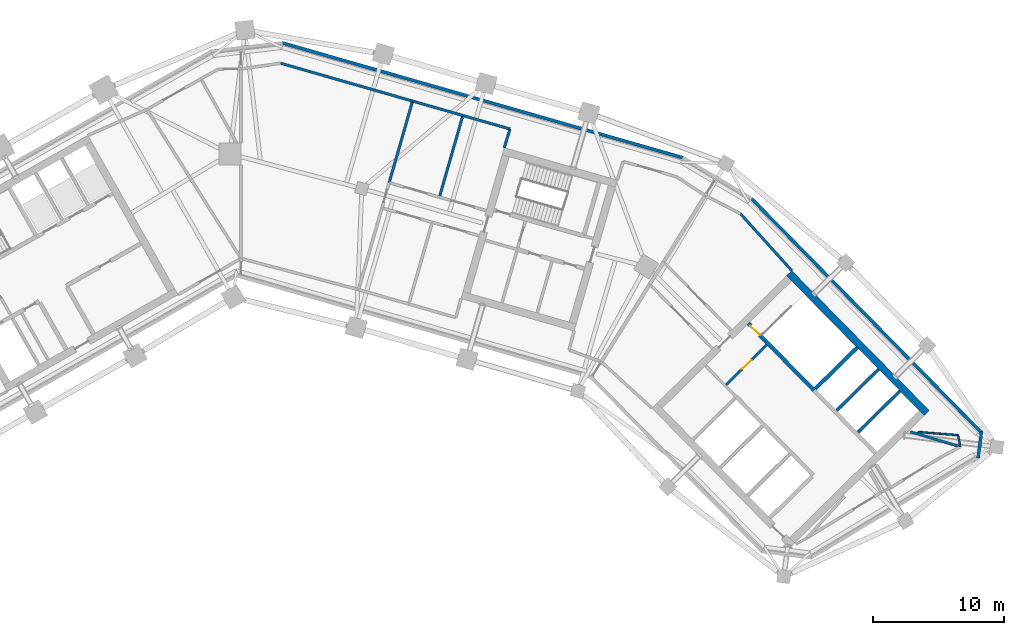
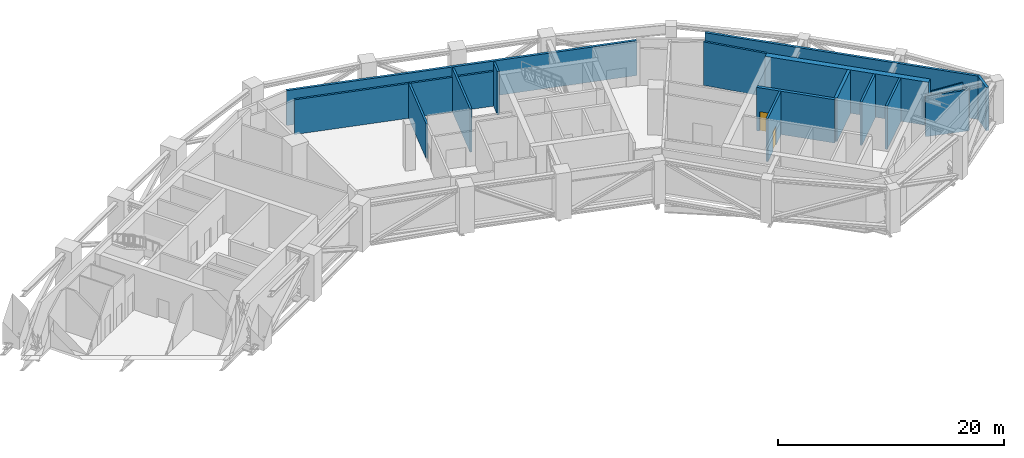
# One storey, part 13 of 16: 19 walls, 2 doors, 2 openings.
"""IFC4 building model written with IfcOpenShell, lengths in metres."""

from ifc_helpers import new_model, si_unit, direction, frame, frame_2d, origin, place, context, subcontext, project, spatial, rectangle, extrude, material, layer, layer_set, type_object, element, fill, save


model = new_model("IFC4")

# Units and contexts
model_context = context("Model", 3, precision=1e-05, world=origin(), true_north=direction((0.0, 1.0)))
body_context = subcontext(model_context, "Body", "Model", "MODEL_VIEW")
ifc_project = project(units=[si_unit("LENGTHUNIT", "METRE"), si_unit("AREAUNIT", "SQUARE_METRE"), si_unit("VOLUMEUNIT", "CUBIC_METRE"), si_unit("PLANEANGLEUNIT", "RADIAN"), si_unit("MASSUNIT", "GRAM", prefix="KILO")], contexts=[model_context])

# Site, building, storey
site_placement = place(None, origin())
site = spatial("IfcSite", under=ifc_project, at=site_placement, CompositionType="ELEMENT")
building_placement = place(site_placement, origin())
building = spatial("IfcBuilding", under=site, at=building_placement, Name="Binnacle Exchange Tower", CompositionType="ELEMENT")
storey_placement = place(building_placement, frame((0.0, 0.0, 149.89990234375)))
storey = spatial("IfcBuildingStorey", under=building, at=storey_placement, Name="L31", CompositionType="ELEMENT", Elevation=149.89990234375)

# Wall
ifc_material_1 = material(Name="Concrete C70/85", Category="concrete")
ifc_layer_1 = layer(ifc_material_1, 0.550048828125)
ifc_layer_set_1 = layer_set([ifc_layer_1], Name="Core wall - outer 550")
wall_type_1 = type_object("IfcWallType", Name="Core wall - outer 550", PredefinedType="SOLIDWALL", material=ifc_layer_set_1)
wall_1_placement = place(storey_placement, frame((41.934326171875, 50.873291015625, 0.0), z_axis=(0.0, 0.0, 1.0), x_axis=(0.700911255944, -0.713248491965, 0.0)))
element("IfcWall", 1, at=wall_1_placement, inside=storey, type_object=wall_type_1, Name="Core wall CRWB6", PredefinedType="SOLIDWALL", context=body_context, shape_type="SweptSolid", body=[
    extrude(rectangle(XDim=15.0, YDim=0.550048828125, at=frame_2d((7.5, 0.0))), origin(), (0.0, 0.0, 1.0), 4.68017578125),
])

# Wall, opening, door
ifc_layer_2 = layer(ifc_material_1, 0.300048828125)
ifc_layer_set_2 = layer_set([ifc_layer_2], Name="Core wall - stair 300")
wall_type_2 = type_object("IfcWallType", Name="Core wall - stair 300", PredefinedType="SOLIDWALL", material=ifc_layer_set_2)
wall_2_placement = place(storey_placement, frame((38.806884765625, 47.029052734375, 0.0), z_axis=(0.0, 0.0, 1.0), x_axis=(0.700916852778, -0.713242991898, 0.0)))
wall_2 = element("IfcWall", 2, at=wall_2_placement, inside=storey, type_object=wall_type_2, Name="Core wall CRWB4", PredefinedType="SOLIDWALL", context=body_context, shape_type="SweptSolid", body=[
    extrude(rectangle(XDim=7.150146484375, YDim=0.300048828125, at=frame_2d((3.5751953125, 0.0))), origin(), (0.0, 0.0, 1.0), 4.68017578125),
])
opening_1_placement = place(wall_2_placement, frame((0.25, 0.0, 0.0)))
opening_1 = element("IfcOpeningElement", 3, at=opening_1_placement, cuts=wall_2, Name="Opening DB1", PredefinedType="OPENING", context=body_context, shape_type="SweptSolid", body=[
    extrude(rectangle(XDim=1.0, YDim=2.10009765625, at=frame_2d((0.5, 1.050048828125))), frame((0.0, 0.159912109375, 0.0), z_axis=(0.0, -1.0, 0.0), x_axis=(1.0, 0.0, 0.0)), (0.0, 0.0, 1.0), 0.320068359375),
])
ifc_material_2 = material(Name="Steel door leaf", Category="steel")
door_type = type_object("IfcDoorType", Name="Fire door 1000", OperationType="NOTDEFINED", PredefinedType="DOOR", material=ifc_material_2)
door_1_placement = place(opening_1_placement, origin())
door_1 = element("IfcDoor", 4, at=door_1_placement, inside=storey, type_object=door_type, Name="Stair door ST-B1", OperationType="SINGLE_SWING_LEFT", OverallHeight=2.10009765625, OverallWidth=1.0, PredefinedType="DOOR", context=body_context, shape_type="SweptSolid", body=[
    extrude(rectangle(XDim=1.0, YDim=2.10009765625, at=frame_2d((0.5, 1.050048828125))), frame((0.0, 0.02490234375, 0.0), z_axis=(0.0, -1.0, 0.0), x_axis=(1.0, 0.0, 0.0)), (0.0, 0.0, 1.0), 0.050048828125),
])
fill(opening_1, door_1)

# Walls
wall_3_placement = place(storey_placement, frame((43.925537109375, 42.034423828125, 0.0), z_axis=(0.0, 0.0, 1.0), x_axis=(0.713210801054, 0.700949608217, 0.0)))
element("IfcWall", 5, at=wall_3_placement, inside=storey, type_object=wall_type_2, Name="Core wall CRWB11", PredefinedType="SOLIDWALL", context=body_context, shape_type="SweptSolid", body=[
    extrude(rectangle(XDim=4.5, YDim=0.300048828125, at=frame_2d((2.25, 0.0))), origin(), (0.0, 0.0, 1.0), 4.68017578125),
])
ifc_material_3 = material(Name="Bronze aluminium louvre", Category="aluminium")
ifc_layer_3 = layer(ifc_material_3, 0.25)
ifc_layer_set_3 = layer_set([ifc_layer_3], Name="External wall - plant floor louvre 250")
wall_type_3 = type_object("IfcWallType", Name="External wall - plant floor louvre 250", PredefinedType="STANDARD", material=ifc_layer_set_3)
wall_4_placement = place(storey_placement, frame((3.134521484375, 68.50048828125, 0.0), z_axis=(0.0, 0.0, 1.0), x_axis=(0.961261620067, -0.275637620413, 0.0)))
element("IfcWall", 6, at=wall_4_placement, inside=storey, type_object=wall_type_3, Name="External wall EW-Fm00 L31", PredefinedType="STANDARD", context=body_context, shape_type="SweptSolid", body=[
    extrude(rectangle(XDim=31.90673828125, YDim=0.25, at=frame_2d((15.953369140625, 0.0))), origin(), (0.0, 0.0, 1.0), 3.76806640625),
])
wall_5_placement = place(storey_placement, frame((56.637451171875, 38.751953125, 0.0), z_axis=(0.0, 0.0, 1.0), x_axis=(-0.126166050511, -0.992009136903, 0.0)))
element("IfcWall", 7, at=wall_5_placement, inside=storey, type_object=wall_type_3, Name="External wall EW-Fm11 L31", PredefinedType="STANDARD", context=body_context, shape_type="SweptSolid", body=[
    extrude(rectangle(XDim=2.02978515625, YDim=0.25, at=frame_2d((1.014892578125, 0.0))), origin(), (0.0, 0.0, 1.0), 4.68017578125),
])
wall_6_placement = place(storey_placement, frame((39.03955078125, 56.591552734375, 0.0), z_axis=(0.0, 0.0, 1.0), x_axis=(0.700912545681, -0.713247224535, 0.0)))
element("IfcWall", 8, at=wall_6_placement, inside=storey, type_object=wall_type_3, Name="External wall EW-Fm12 L31", PredefinedType="STANDARD", context=body_context, shape_type="SweptSolid", body=[
    extrude(rectangle(XDim=25.156982421875, YDim=0.25, at=frame_2d((12.57861328125, 0.0))), origin(), (0.0, 0.0, 1.0), 4.68017578125),
])
ifc_material_4 = material(Name="Masonry block wall", Category="masonry")
ifc_layer_4 = layer(ifc_material_4, 0.199951171875)
ifc_layer_set_4 = layer_set([ifc_layer_4], Name="Fire wall - block 200")
wall_type_4 = type_object("IfcWallType", Name="Fire wall - block 200", PredefinedType="PARTITIONING", material=ifc_layer_set_4)
wall_7_placement = place(storey_placement, frame((3.029052734375, 66.93408203125, 0.0), z_axis=(0.0, 0.0, 1.0), x_axis=(0.961263796718, -0.275630029421, 0.0)))
element("IfcWall", 9, at=wall_7_placement, inside=storey, type_object=wall_type_4, Name="Partition W40", PredefinedType="PARTITIONING", context=body_context, shape_type="SweptSolid", body=[
    extrude(rectangle(XDim=10.499755859375, YDim=0.199951171875, at=frame_2d((5.25, 0.0))), origin(), (0.0, 0.0, 1.0), 3.748046875),
])
wall_8_placement = place(storey_placement, frame((11.330078125, 57.791015625, 0.0), z_axis=(0.0, 0.0, 1.0), x_axis=(0.27565349575, 0.96125706774, 0.0)))
element("IfcWall", 10, at=wall_8_placement, inside=storey, type_object=wall_type_4, Name="Partition W45", PredefinedType="PARTITIONING", context=body_context, shape_type="SweptSolid", body=[
    extrude(rectangle(XDim=6.5009765625, YDim=0.199951171875, at=frame_2d((3.25048828125, 0.0))), origin(), (0.0, 0.0, 1.0), 3.748046875),
])
wall_9_placement = place(storey_placement, frame((13.1220703125, 64.0400390625, 0.0), z_axis=(0.0, 0.0, 1.0), x_axis=(0.961228587008, -0.275752794216, 0.0)))
element("IfcWall", 11, at=wall_9_placement, inside=storey, type_object=wall_type_4, Name="Partition W49", PredefinedType="PARTITIONING", context=body_context, shape_type="SweptSolid", body=[
    extrude(rectangle(XDim=4.0, YDim=0.199951171875, at=frame_2d((2.0, 0.0))), origin(), (0.0, 0.0, 1.0), 3.748046875),
])
wall_10_placement = place(storey_placement, frame((15.175048828125, 56.68896484375, 0.0), z_axis=(0.0, 0.0, 1.0), x_axis=(0.275693305607, 0.961245650832, 0.0)))
element("IfcWall", 12, at=wall_10_placement, inside=storey, type_object=wall_type_4, Name="Partition W51", PredefinedType="PARTITIONING", context=body_context, shape_type="SweptSolid", body=[
    extrude(rectangle(XDim=6.5, YDim=0.199951171875, at=frame_2d((3.25, 0.0))), origin(), (0.0, 0.0, 1.0), 4.68017578125),
])
wall_11_placement = place(storey_placement, frame((16.967041015625, 62.93701171875, 0.0), z_axis=(0.0, 0.0, 1.0), x_axis=(0.961314848061, -0.275451924837, 0.0)))
element("IfcWall", 13, at=wall_11_placement, inside=storey, type_object=wall_type_4, Name="Partition W54", PredefinedType="PARTITIONING", context=body_context, shape_type="SweptSolid", body=[
    extrude(rectangle(XDim=3.75, YDim=0.199951171875, at=frame_2d((1.875, 0.0))), origin(), (0.0, 0.0, 1.0), 3.748046875),
])
wall_12_placement = place(storey_placement, frame((20.135986328125, 60.468017578125, 0.0), z_axis=(0.0, 0.0, 1.0), x_axis=(0.290540119102, 0.956862811061, 0.0)))
element("IfcWall", 14, at=wall_12_placement, inside=storey, type_object=wall_type_4, Name="Partition W55", PredefinedType="PARTITIONING", context=body_context, shape_type="SweptSolid", body=[
    extrude(rectangle(XDim=1.500732421875, YDim=0.199951171875, at=frame_2d((0.75048828125, 0.0))), origin(), (0.0, 0.0, 1.0), 4.68017578125),
])
wall_13_placement = place(storey_placement, frame((38.198974609375, 55.423095703125, 0.0), z_axis=(0.0, 0.0, 1.0), x_axis=(0.669853780439, -0.742493038911, 0.0)))
element("IfcWall", 15, at=wall_13_placement, inside=storey, type_object=wall_type_4, Name="Partition W70", PredefinedType="PARTITIONING", context=body_context, shape_type="SweptSolid", body=[
    extrude(rectangle(XDim=5.868408203125, YDim=0.199951171875, at=frame_2d((2.93408203125, 0.0))), origin(), (0.0, 0.0, 1.0), 4.68017578125),
])
wall_14_placement = place(storey_placement, frame((51.202880859375, 38.740966796875, 0.0), z_axis=(0.0, 0.0, 1.0), x_axis=(0.957877230713, -0.287178012533, 0.0)))
element("IfcWall", 16, at=wall_14_placement, inside=storey, type_object=wall_type_4, Name="Partition W78", PredefinedType="PARTITIONING", context=body_context, shape_type="SweptSolid", body=[
    extrude(rectangle(XDim=3.95556640625, YDim=0.199951171875, at=frame_2d((1.977783203125, 0.0))), origin(), (0.0, 0.0, 1.0), 4.4111328125),
])

# Wall, opening, door
ifc_layer_5 = layer(ifc_material_4, 0.199951171875)
ifc_layer_set_5 = layer_set([ifc_layer_5], Name="Fire wall - vestibule 200")
wall_type_5 = type_object("IfcWallType", Name="Fire wall - vestibule 200", PredefinedType="PARTITIONING", material=ifc_layer_set_5)
wall_15_placement = place(storey_placement, frame((37.104248046875, 42.341552734375, 0.0), z_axis=(0.0, 0.0, 1.0), x_axis=(0.713281298468, 0.700877870428, 0.0)))
wall_15 = element("IfcWall", 17, at=wall_15_placement, inside=storey, type_object=wall_type_5, Name="Core wall CRWB8", PredefinedType="PARTITIONING", context=body_context, shape_type="SweptSolid", body=[
    extrude(rectangle(XDim=4.35009765625, YDim=0.199951171875, at=frame_2d((2.175048828125, 0.0))), origin(), (0.0, 0.0, 1.0), 4.68017578125),
])
opening_2_placement = place(wall_15_placement, frame((1.699951171875, 0.0, 0.0)))
opening_2 = element("IfcOpeningElement", 18, at=opening_2_placement, cuts=wall_15, Name="Opening DB3", PredefinedType="OPENING", context=body_context, shape_type="SweptSolid", body=[
    extrude(rectangle(XDim=1.0, YDim=2.10009765625, at=frame_2d((0.5, 1.050048828125))), frame((0.0, 0.10986328125, 0.0), z_axis=(0.0, -1.0, 0.0), x_axis=(1.0, 0.0, 0.0)), (0.0, 0.0, 1.0), 0.219970703125),
])
door_2_placement = place(opening_2_placement, origin())
door_2 = element("IfcDoor", 19, at=door_2_placement, inside=storey, type_object=door_type, Name="Vestibule door VEST-W", OperationType="SINGLE_SWING_RIGHT", OverallHeight=2.10009765625, OverallWidth=1.0, PredefinedType="DOOR", context=body_context, shape_type="SweptSolid", body=[
    extrude(rectangle(XDim=1.0, YDim=2.10009765625, at=frame_2d((0.5, 1.050048828125))), frame((0.0, 0.02490234375, 0.0), z_axis=(0.0, -1.0, 0.0), x_axis=(1.0, 0.0, 0.0)), (0.0, 0.0, 1.0), 0.050048828125),
])
fill(opening_2, door_2)

# Walls
ifc_material_5 = material(Name="Gypsum partition")
ifc_layer_6 = layer(ifc_material_5, 0.125)
ifc_layer_set_6 = layer_set([ifc_layer_6], Name="Partition 125")
wall_type_6 = type_object("IfcWallType", Name="Partition 125", PredefinedType="PARTITIONING", material=ifc_layer_set_6)
wall_16_placement = place(storey_placement, frame((51.781005859375, 38.72998046875, 0.0), z_axis=(0.0, 0.0, 1.0), x_axis=(0.996792009442, -0.080035554048, 0.0)))
element("IfcWall", 20, at=wall_16_placement, inside=storey, type_object=wall_type_6, Name="Partition W79", PredefinedType="PARTITIONING", context=body_context, shape_type="SweptSolid", body=[
    extrude(rectangle(XDim=3.07470703125, YDim=0.125, at=frame_2d((1.537353515625, 0.0))), origin(), (0.0, 0.0, 1.0), 4.68017578125),
])
wall_17_placement = place(storey_placement, frame((54.845947265625, 38.48388671875, 0.0), z_axis=(0.0, 0.0, 1.0), x_axis=(0.187464730169, -0.982271334684, 0.0)))
element("IfcWall", 21, at=wall_17_placement, inside=storey, type_object=wall_type_6, Name="Partition W81", PredefinedType="PARTITIONING", context=body_context, shape_type="SweptSolid", body=[
    extrude(rectangle(XDim=0.890869140625, YDim=0.125, at=frame_2d((0.4453125, 0.0))), origin(), (0.0, 0.0, 1.0), 4.4111328125),
])
ifc_layer_7 = layer(ifc_material_4, 0.199951171875)
ifc_layer_set_7 = layer_set([ifc_layer_7], Name="Shaft wall 200")
wall_type_7 = type_object("IfcWallType", Name="Shaft wall 200", PredefinedType="SOLIDWALL", material=ifc_layer_set_7)
for number, where, z_axis, x_axis, name in (
    (22, (45.55859375, 40.37255859375, 0.0), (0.0, 0.0, 1.0), (0.713264577552, 0.700894886848, 0.0), "Core wall CRWB13"),
    (23, (47.191650390625, 38.710693359375, 0.0), (0.0, 0.0, 1.0), (0.713264577552, 0.700894886848, 0.0), "Core wall CRWB15"),
):
    element("IfcWall", number, at=place(storey_placement, frame(where, z_axis=z_axis, x_axis=x_axis)), inside=storey, type_object=wall_type_7, Name=name, PredefinedType="SOLIDWALL", context=body_context, shape_type="SweptSolid", body=[
        extrude(rectangle(XDim=4.5, YDim=0.199951171875, at=frame_2d((2.25, 0.0))), origin(), (0.0, 0.0, 1.0), 4.68017578125),
    ])

save(model, "model.ifc")
